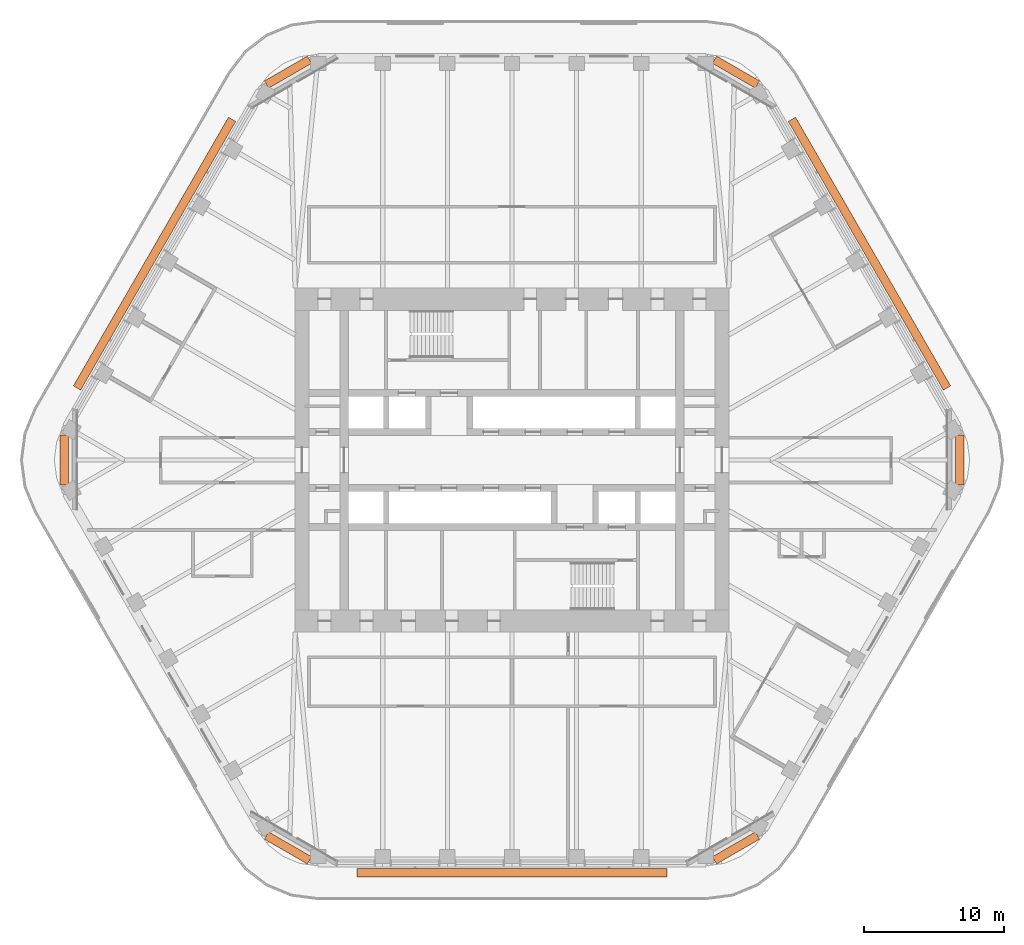
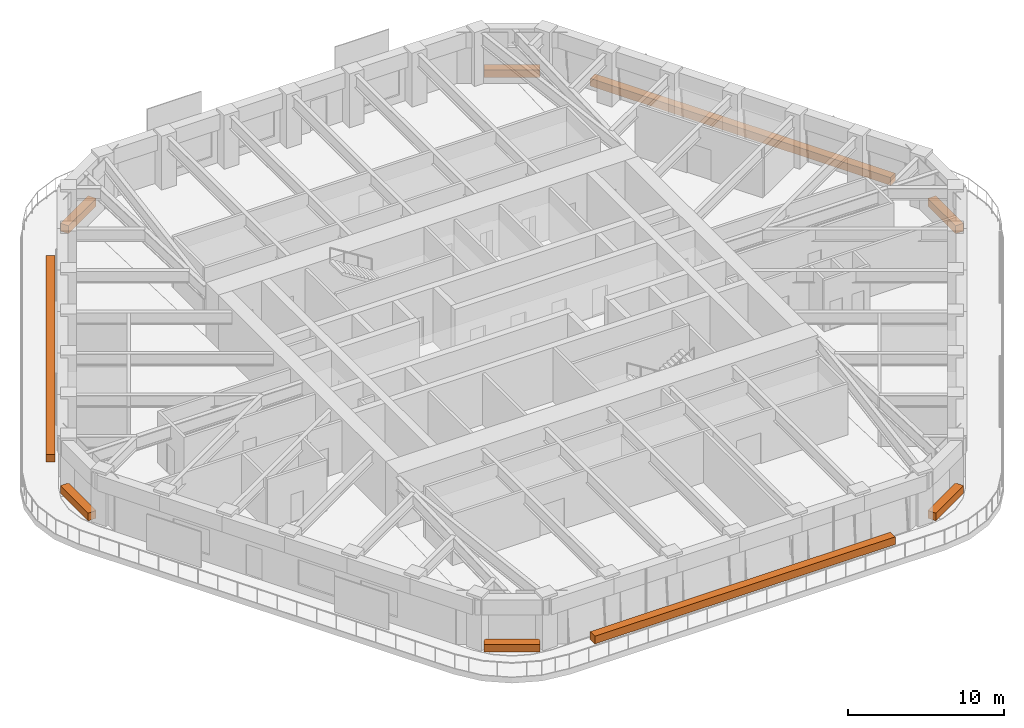
# One storey, part 20 of 20: 9 proxies.
"""IFC4 building model written with IfcOpenShell, lengths in metres."""

from ifc_helpers import new_model, si_unit, direction, frame, origin, origin_2d, place, context, subcontext, project, spatial, rectangle, extrude, material, element, save


model = new_model("IFC4")

# Units and contexts
model_context = context("Model", 3, precision=1e-05, world=origin(), true_north=direction((0.0, 1.0)))
body_context = subcontext(model_context, "Body", "Model", "MODEL_VIEW")
ifc_project = project(units=[si_unit("LENGTHUNIT", "METRE"), si_unit("AREAUNIT", "SQUARE_METRE"), si_unit("VOLUMEUNIT", "CUBIC_METRE"), si_unit("PLANEANGLEUNIT", "RADIAN"), si_unit("MASSUNIT", "GRAM", prefix="KILO")], contexts=[model_context])

# Site, building, storey
site_placement = place(None, origin())
site = spatial("IfcSite", under=ifc_project, at=site_placement, CompositionType="ELEMENT")
building_placement = place(site_placement, origin())
building = spatial("IfcBuilding", under=site, at=building_placement, Name="Tarfa Lantern Tower", CompositionType="ELEMENT")
storey_placement = place(building_placement, frame((0.0, 0.0, 286.89990234375)))
storey = spatial("IfcBuildingStorey", under=building, at=storey_placement, Name="L65", CompositionType="ELEMENT", Elevation=286.89990234375)

# Proxies
ifc_material = material(Name="Planting bed")
for number, where, z_axis, x_axis, name in (
    (1, (16.006591796875, 27.72412109375, 0.0400390625), (0.0, 0.0, 1.0), (-0.866025403784, 0.5, 0.0), "Sky garden planter"),
    (2, (-16.006591796875, 27.72412109375, 0.0400390625), (0.0, 0.0, 1.0), (-0.866025403784, -0.5, 0.0), "Sky garden planter"),
    (3, (-32.012939453125, 0.0, 0.0400390625), (0.0, 0.0, 1.0), (0.0, -1.0, 0.0), "Sky garden planter"),
    (4, (-16.006591796875, -27.72412109375, 0.0400390625), (0.0, 0.0, 1.0), (0.866025403784, -0.5, 0.0), "Sky garden planter"),
    (5, (16.006591796875, -27.72412109375, 0.0400390625), (0.0, 0.0, 1.0), (0.866025403784, 0.5, 0.0), "Sky garden planter"),
    (6, (32.012939453125, 0.0, 0.0400390625), (0.0, 0.0, 1.0), (0.0, 1.0, 0.0), "Sky garden planter"),
):
    element("IfcBuildingElementProxy", number, at=place(storey_placement, frame(where, z_axis=z_axis, x_axis=x_axis)), inside=storey, material=ifc_material, Name=name, ObjectType="PLANTER", PredefinedType="USERDEFINED", context=body_context, shape_type="SweptSolid", body=[
        extrude(rectangle(XDim=3.551025390625, YDim=0.60009765625, at=origin_2d()), origin(), (0.0, 0.0, 1.0), 0.60009765625),
    ])
for number, where, z_axis, x_axis, name in (
    (7, (25.5478515625, 14.75, 0.0), (0.0, 0.0, 1.0), (-0.5, 0.866025403784, 0.0), "Balcony planter"),
    (8, (-25.5478515625, 14.75, 0.0), (0.0, 0.0, 1.0), (-0.5, -0.866025403784, 0.0), "Balcony planter"),
    (9, (0.0, -29.5, 0.0), (0.0, 0.0, 1.0), (1.0, 0.0, 0.0), "Balcony planter"),
):
    element("IfcBuildingElementProxy", number, at=place(storey_placement, frame(where, z_axis=z_axis, x_axis=x_axis)), inside=storey, material=ifc_material, Name=name, ObjectType="PLANTER", PredefinedType="USERDEFINED", context=body_context, shape_type="SweptSolid", body=[
        extrude(rectangle(XDim=22.170166015625, YDim=0.60009765625, at=origin_2d()), origin(), (0.0, 0.0, 1.0), 0.60009765625),
    ])

save(model, "model.ifc")
